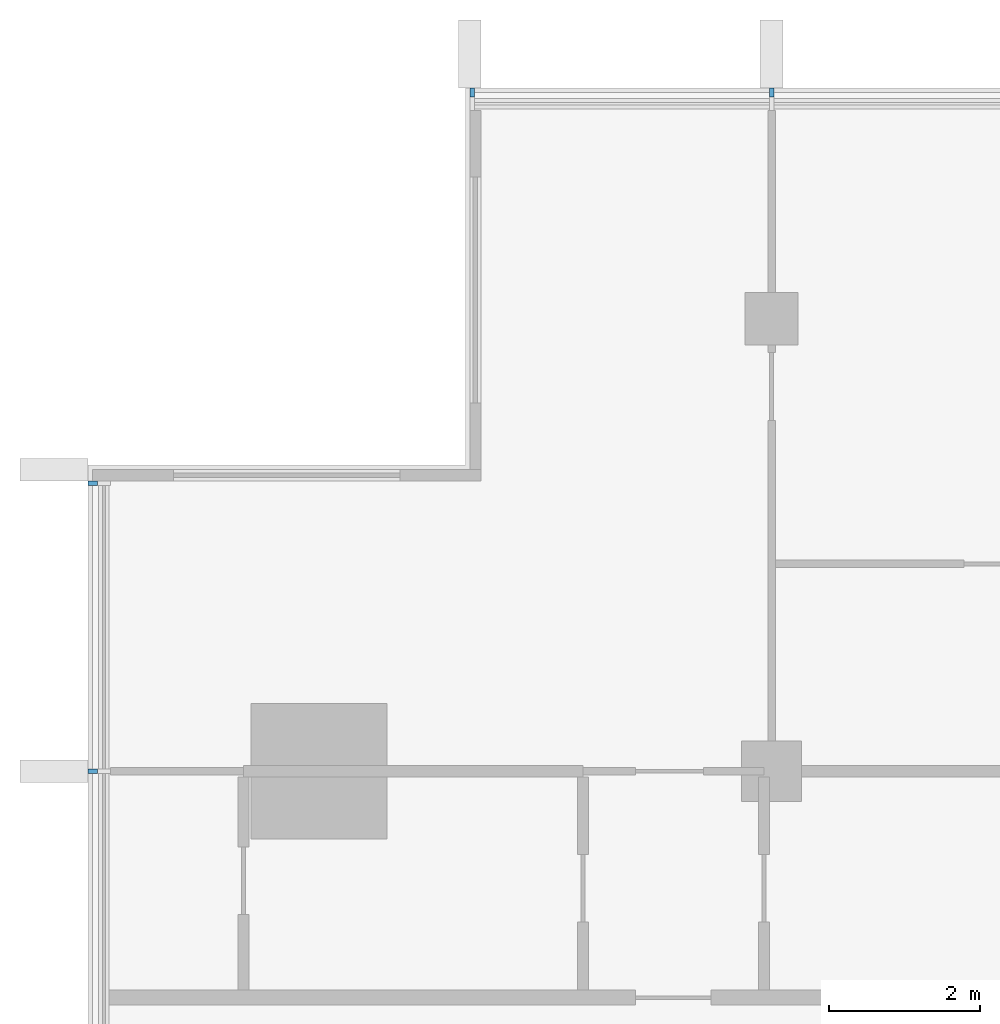
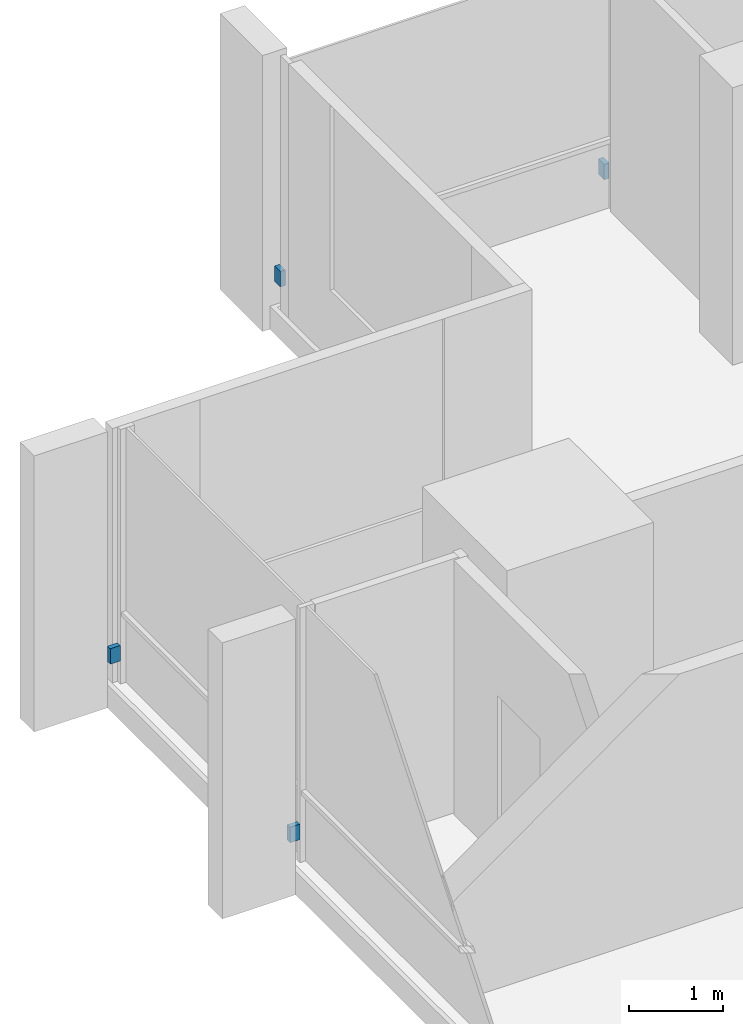
# One storey, part 14 of 16: 4 discrete accessories.
"""IFC4 building model written with IfcOpenShell, lengths in metres."""

from ifc_helpers import new_model, si_unit, direction, frame, origin, origin_2d, place, context, subcontext, project, spatial, rectangle, extrude, material, type_object, element, save


model = new_model("IFC4")

# Units and contexts
model_context = context("Model", 3, precision=1e-05, world=origin(), true_north=direction((0.0, 1.0)))
body_context = subcontext(model_context, "Body", "Model", "MODEL_VIEW")
ifc_project = project(units=[si_unit("LENGTHUNIT", "METRE"), si_unit("AREAUNIT", "SQUARE_METRE"), si_unit("VOLUMEUNIT", "CUBIC_METRE"), si_unit("PLANEANGLEUNIT", "RADIAN"), si_unit("MASSUNIT", "GRAM", prefix="KILO")], contexts=[model_context])

# Site, building, storey
site_placement = place(None, origin())
site = spatial("IfcSite", under=ifc_project, at=site_placement, CompositionType="ELEMENT")
building_placement = place(site_placement, origin())
building = spatial("IfcBuilding", under=site, at=building_placement, Name="Finial Court Residences", CompositionType="ELEMENT")
storey_placement = place(building_placement, frame((0.0, 0.0, 287.89990234375)))
storey = spatial("IfcBuildingStorey", under=building, at=storey_placement, Name="L73", CompositionType="ELEMENT", Elevation=287.89990234375)

# Discrete accessories
ifc_material = material(Name="Stainless steel 316", Category="steel")
discrete_accessory_type = type_object("IfcDiscreteAccessoryType", Name="Fin bracket, stainless steel 60 x 122 x 200", PredefinedType="BRACKET", material=ifc_material)
for number, where, z_axis, x_axis, name in (
    (1, (-14.469970703125, 16.498779296875, 0.30029296875), (0.0, 0.0, 1.0), (1.0, 0.0, 0.0), "E-L73-FIN-N1-BRK"),
    (2, (-10.5, 16.498779296875, 0.30029296875), (0.0, 0.0, 1.0), (1.0, 0.0, 0.0), "E-L73-FIN-N2-BRK"),
):
    element("IfcDiscreteAccessory", number, at=place(storey_placement, frame(where, z_axis=z_axis, x_axis=x_axis)), inside=storey, type_object=discrete_accessory_type, Name=name, PredefinedType="BRACKET", context=body_context, shape_type="SweptSolid", body=[
        extrude(rectangle(XDim=0.06005859375, YDim=0.12255859375, at=origin_2d()), origin(), (0.0, 0.0, 1.0), 0.199951171875),
    ])
for number, where, z_axis, x_axis, name in (
    (3, (-19.498779296875, 7.5, 0.30029296875), (0.0, 0.0, 1.0), (1.0, 0.0, 0.0), "E-L73-FIN-W25-BRK"),
    (4, (-19.498779296875, 11.320068359375, 0.30029296875), (0.0, 0.0, 1.0), (1.0, 0.0, 0.0), "E-L73-FIN-W26-BRK"),
):
    element("IfcDiscreteAccessory", number, at=place(storey_placement, frame(where, z_axis=z_axis, x_axis=x_axis)), inside=storey, type_object=discrete_accessory_type, Name=name, PredefinedType="BRACKET", context=body_context, shape_type="SweptSolid", body=[
        extrude(rectangle(XDim=0.12255859375, YDim=0.06005859375, at=origin_2d()), origin(), (0.0, 0.0, 1.0), 0.199951171875),
    ])

save(model, "model.ifc")
